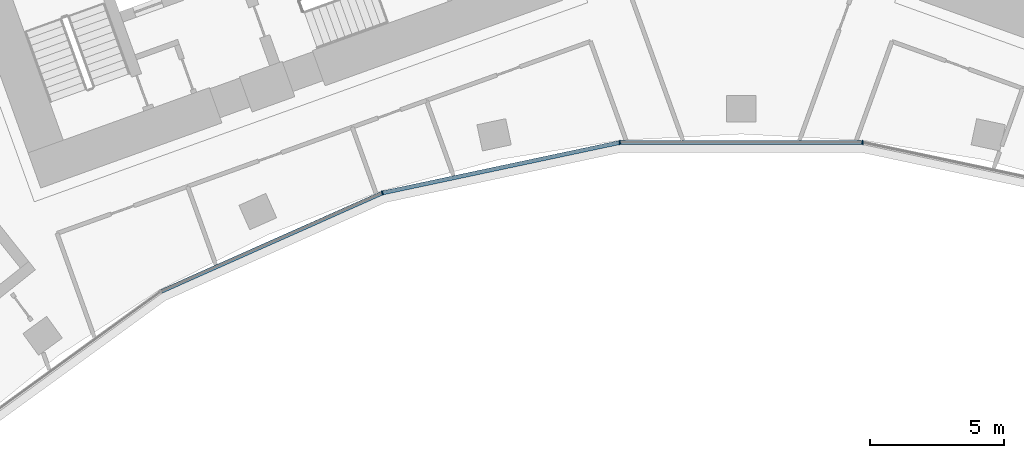
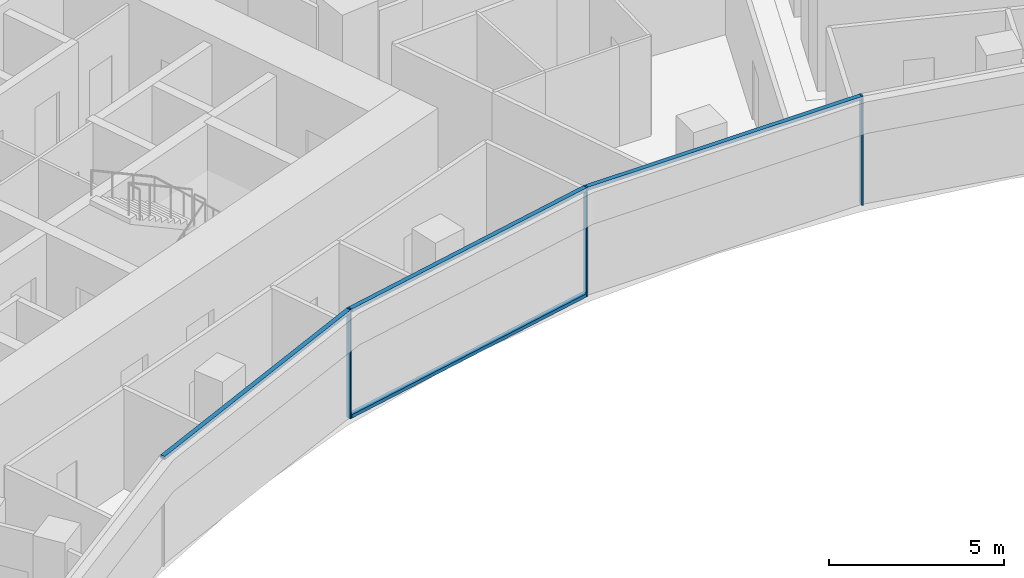
# One storey, part 5 of 23: 7 members, 1 element without a shape of its own.
"""IFC4 building model written with IfcOpenShell, lengths in metres."""

from ifc_helpers import new_model, si_unit, direction, frame, origin, origin_2d, place, context, subcontext, project, spatial, rectangle, extrude, material, layer, layer_set, material_profile, profile_set, type_object, element, aggregate, save


model = new_model("IFC4")

# Units and contexts
model_context = context("Model", 3, precision=1e-05, world=origin(), true_north=direction((0.0, 1.0)))
body_context = subcontext(model_context, "Body", "Model", "MODEL_VIEW")
ifc_project = project(units=[si_unit("LENGTHUNIT", "METRE"), si_unit("AREAUNIT", "SQUARE_METRE"), si_unit("VOLUMEUNIT", "CUBIC_METRE"), si_unit("PLANEANGLEUNIT", "RADIAN"), si_unit("MASSUNIT", "GRAM", prefix="KILO")], contexts=[model_context])

# Site, building, storey
site_placement = place(None, origin())
site = spatial("IfcSite", under=ifc_project, at=site_placement, CompositionType="ELEMENT")
building_placement = place(site_placement, origin())
building = spatial("IfcBuilding", under=site, at=building_placement, Name="Stone Belt Terrace Tower", CompositionType="ELEMENT")
storey_placement = place(building_placement, frame((0.0, 0.0, 166.800048828125)))
storey = spatial("IfcBuildingStorey", under=building, at=storey_placement, Name="L40", CompositionType="ELEMENT", Elevation=166.800048828125)

# Curtain wall, members
ifc_material = material(Name="Aluminium 6063-T6 anodised frame", Category="aluminium")
ifc_layer = layer(ifc_material, 0.14990234375)
ifc_layer_set = layer_set([ifc_layer], Name="CW-B unitised concave-face curtain wall")
curtain_wall_type = type_object("IfcCurtainWallType", Name="CW-B unitised concave-face curtain wall", PredefinedType="NOTDEFINED", material=ifc_layer_set)
curtain_wall_placement = place(storey_placement, origin())
curtain_wall = element("IfcCurtainWall", 1, at=curtain_wall_placement, inside=storey, type_object=curtain_wall_type, Name="CW-B concave face L40", PredefinedType="NOTDEFINED")
ifc_material_profile_1 = material_profile(ifc_material, rectangle(XDim=0.14990234375, YDim=0.050048828125, at=origin_2d()), Name="Aluminium 6063-T6 50x150")
ifc_profile_set_1 = profile_set([ifc_material_profile_1], Name="Aluminium 6063-T6 anodised frame")
member_type_1 = type_object("IfcMemberType", Name="CW-B mullion 50 x 150", PredefinedType="MULLION", material=ifc_profile_set_1)
member_1_placement = place(storey_placement, frame((-13.4189453125, 41.29931640625, 0.0), z_axis=(0.0, 0.0, 1.0), x_axis=(-0.309016994375, 0.951056516295, 0.0)))
member_1 = element("IfcMember", 2, at=member_1_placement, type_object=member_type_1, Name="CW-B mullion 4", PredefinedType="MULLION", context=body_context, shape_type="SweptSolid", body=[
    extrude(rectangle(XDim=0.14990234375, YDim=0.050048828125, at=origin_2d()), origin(), (0.0, 0.0, 1.0), 3.800048828125),
])
member_2_placement = place(storey_placement, frame((-4.5390625, 43.186767578125, 0.0), z_axis=(0.0, 0.0, 1.0), x_axis=(-0.104528463268, 0.994521895368, 0.0)))
member_2 = element("IfcMember", 3, at=member_2_placement, type_object=member_type_1, Name="CW-B mullion 5", PredefinedType="MULLION", context=body_context, shape_type="SweptSolid", body=[
    extrude(rectangle(XDim=0.14990234375, YDim=0.050048828125, at=origin_2d()), origin(), (0.0, 0.0, 1.0), 3.800048828125),
])
member_3_placement = place(storey_placement, frame((4.5390625, 43.186767578125, 0.0), z_axis=(0.0, 0.0, 1.0), x_axis=(0.104528463268, 0.994521895368, 0.0)))
member_3 = element("IfcMember", 4, at=member_3_placement, type_object=member_type_1, Name="CW-B mullion 6", PredefinedType="MULLION", context=body_context, shape_type="SweptSolid", body=[
    extrude(rectangle(XDim=0.14990234375, YDim=0.050048828125, at=origin_2d()), origin(), (0.0, 0.0, 1.0), 3.800048828125),
])
ifc_material_profile_2 = material_profile(ifc_material, rectangle(XDim=0.14990234375, YDim=0.1201171875, at=origin_2d()), Name="Aluminium 6063-T6 150x120")
ifc_profile_set_2 = profile_set([ifc_material_profile_2], Name="Aluminium 6063-T6 anodised frame")
member_type_2 = type_object("IfcMemberType", Name="CW-B transom 120 x 150", PredefinedType="USERDEFINED", material=ifc_profile_set_2)
member_4_placement = place(storey_placement, frame((-21.682373046875, 37.6201171875, 3.739990234375), z_axis=(0.913548853737, 0.406729015237, 0.0), x_axis=(-0.406729015237, 0.913548853737, 0.0)))
member_4 = element("IfcMember", 5, at=member_4_placement, type_object=member_type_2, Name="CW-B transom 3.1", ObjectType="TRANSOM", PredefinedType="USERDEFINED", context=body_context, shape_type="SweptSolid", body=[
    extrude(rectangle(XDim=0.14990234375, YDim=0.1201171875, at=origin_2d()), origin(), (0.0, 0.0, 1.0), 9.0126953125),
])
member_5_placement = place(storey_placement, frame((-13.386962890625, 41.30615234375, 0.06005859375), z_axis=(0.9781499003, 0.207900871914, 0.0), x_axis=(-0.207900871914, 0.9781499003, 0.0)))
member_5 = element("IfcMember", 6, at=member_5_placement, type_object=member_type_2, Name="CW-B transom 4.1", ObjectType="TRANSOM", PredefinedType="USERDEFINED", context=body_context, shape_type="SweptSolid", body=[
    extrude(rectangle(XDim=0.14990234375, YDim=0.1201171875, at=origin_2d()), origin(), (0.0, 0.0, 1.0), 9.012939453125),
])
member_6_placement = place(storey_placement, frame((-13.386962890625, 41.30615234375, 3.739990234375), z_axis=(0.9781499003, 0.207900871914, 0.0), x_axis=(-0.207900871914, 0.9781499003, 0.0)))
member_6 = element("IfcMember", 7, at=member_6_placement, type_object=member_type_2, Name="CW-B transom 4.2", ObjectType="TRANSOM", PredefinedType="USERDEFINED", context=body_context, shape_type="SweptSolid", body=[
    extrude(rectangle(XDim=0.14990234375, YDim=0.1201171875, at=origin_2d()), origin(), (0.0, 0.0, 1.0), 9.012939453125),
])
member_7_placement = place(storey_placement, frame((-4.50634765625, 43.186767578125, 3.739990234375), z_axis=(1.0, 0.0, 0.0), x_axis=(0.0, 1.0, 0.0)))
member_7 = element("IfcMember", 8, at=member_7_placement, type_object=member_type_2, Name="CW-B transom 5.1", ObjectType="TRANSOM", PredefinedType="USERDEFINED", context=body_context, shape_type="SweptSolid", body=[
    extrude(rectangle(XDim=0.14990234375, YDim=0.1201171875, at=origin_2d()), origin(), (0.0, 0.0, 1.0), 9.0126953125),
])
aggregate(curtain_wall, [member_1, member_2, member_3, member_4, member_5, member_6, member_7])

save(model, "model.ifc")
